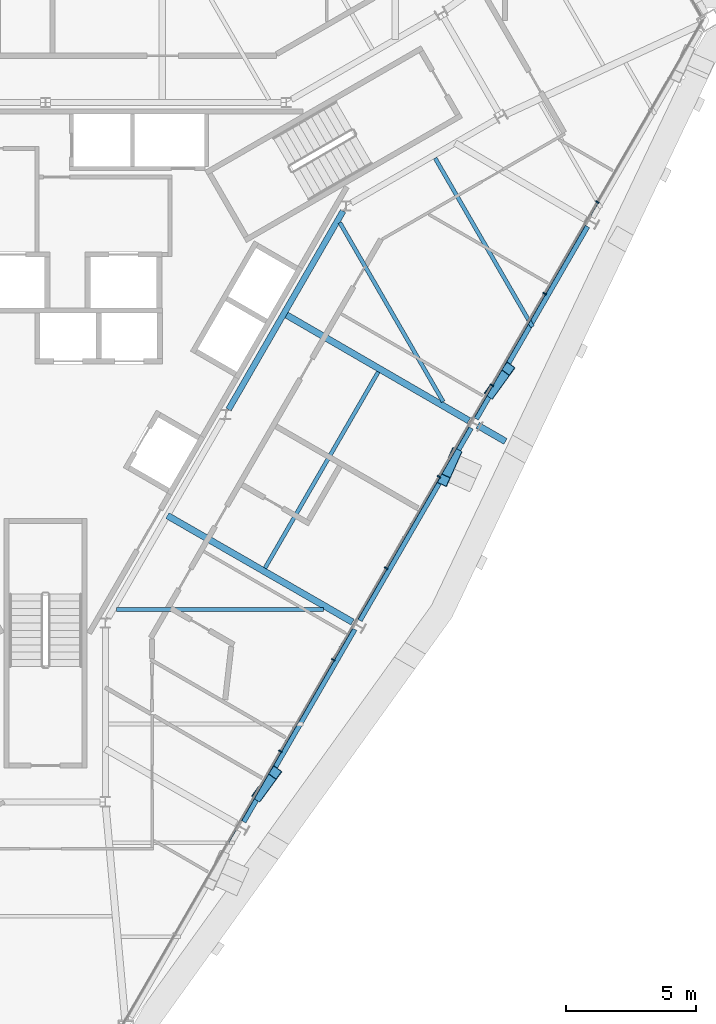
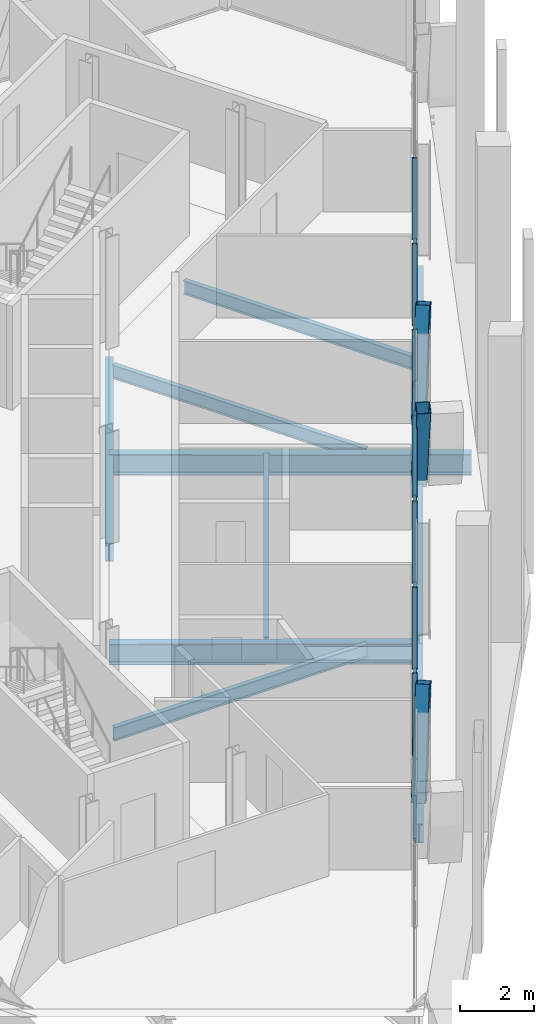
# One storey, part 6 of 16: 17 members, 11 beams, 1 element without a shape of its own.
"""IFC4 building model written with IfcOpenShell, lengths in metres."""

from ifc_helpers import new_model, si_unit, direction, frame, origin, origin_2d, place, context, subcontext, project, spatial, rectangle, hollow_rectangle, i_section, extrude, material, material_profile, profile_set, type_object, element, aggregate, save


model = new_model("IFC4")

# Units and contexts
model_context = context("Model", 3, precision=1e-05, world=origin(), true_north=direction((0.0, 1.0)))
body_context = subcontext(model_context, "Body", "Model", "MODEL_VIEW")
ifc_project = project(units=[si_unit("LENGTHUNIT", "METRE"), si_unit("AREAUNIT", "SQUARE_METRE"), si_unit("VOLUMEUNIT", "CUBIC_METRE"), si_unit("PLANEANGLEUNIT", "RADIAN"), si_unit("MASSUNIT", "GRAM", prefix="KILO")], contexts=[model_context])

# Site, building, storey
site_placement = place(None, origin())
site = spatial("IfcSite", under=ifc_project, at=site_placement, CompositionType="ELEMENT")
building_placement = place(site_placement, origin())
building = spatial("IfcBuilding", under=site, at=building_placement, Name="Verrane Prism Tower", CompositionType="ELEMENT")
storey_placement = place(building_placement, frame((0.0, 0.0, 236.0)))
storey = spatial("IfcBuildingStorey", under=building, at=storey_placement, Name="L59", CompositionType="ELEMENT", Elevation=236.0)

# Beam
ifc_material_1 = material(Name="Steel A992", Category="steel")
ifc_material_profile_1 = material_profile(ifc_material_1, i_section(OverallWidth=0.23046875, OverallDepth=0.6171875, WebThickness=0.01318359375, FlangeThickness=0.022216796875, FilletRadius=0.012939453125, at=origin_2d()), Name="W24x94")
ifc_profile_set_1 = profile_set([ifc_material_profile_1], Name="Steel A992")
beam_type_1 = type_object("IfcBeamType", Name="Core ring girder W24x94", PredefinedType="BEAM", material=ifc_profile_set_1)
beam_1_placement = place(storey_placement, frame((7.04150390625, -3.806884765625, -0.55859375), z_axis=(0.499967007444, 0.866044451208, 0.0), x_axis=(-0.866044451208, 0.499967007444, 0.0)))
element("IfcBeam", 1, at=beam_1_placement, inside=storey, type_object=beam_type_1, Name="Core ring girder L59", PredefinedType="BEAM", context=body_context, shape_type="SweptSolid", body=[
    extrude(i_section(OverallWidth=0.23046875, OverallDepth=0.6171875, WebThickness=0.01318359375, FlangeThickness=0.022216796875, FilletRadius=0.012939453125, at=origin_2d()), origin(), (0.0, 0.0, 1.0), 8.814453125),
])

# Members
ifc_material_2 = material(Name="Steel A500 Grade C", Category="steel")
ifc_material_profile_2 = material_profile(ifc_material_2, hollow_rectangle(XDim=0.406494140625, YDim=0.406494140625, WallThickness=0.01904296875, InnerFilletRadius=0.009521484375, OuterFilletRadius=0.028564453125, at=origin_2d()), Name="HSS16x16x3/4")
ifc_profile_set_2 = profile_set([ifc_material_profile_2], Name="Steel A500 Grade C")
member_type_1 = type_object("IfcMemberType", Name="Facade brace HSS16x16x3/4", PredefinedType="BRACE", material=ifc_profile_set_2)
member_1_placement = place(storey_placement, frame((8.18994140625, -18.6474609375, -0.216796875), z_axis=(0.188978192482, 0.259012989696, 0.947206162319), x_axis=(-0.807837409628, 0.589405394958, 0.0)))
element("IfcMember", 2, at=member_1_placement, inside=storey, type_object=member_type_1, Name="Facade brace SE1 L59", PredefinedType="BRACE", context=body_context, shape_type="SweptSolid", body=[
    extrude(hollow_rectangle(XDim=0.406494140625, YDim=0.406494140625, WallThickness=0.01904296875, InnerFilletRadius=0.009521484375, OuterFilletRadius=0.028564453125, at=origin_2d()), origin(), (0.0, 0.0, 1.0), 3.37451171875),
])
member_2_placement = place(storey_placement, frame((15.770263671875, -5.515625, -0.216796875), z_axis=(-0.132975288548, -0.298436396773, 0.945120780491), x_axis=(0.913428457808, -0.406999327354, 0.0)))
element("IfcMember", 3, at=member_2_placement, inside=storey, type_object=member_type_1, Name="Facade brace SE2 L59", PredefinedType="BRACE", context=body_context, shape_type="SweptSolid", body=[
    extrude(hollow_rectangle(XDim=0.406494140625, YDim=0.406494140625, WallThickness=0.01904296875, InnerFilletRadius=0.009521484375, OuterFilletRadius=0.028564453125, at=origin_2d()), origin(), (0.0, 0.0, 1.0), 3.3818359375),
])
member_3_placement = place(storey_placement, frame((17.13671875, -3.150634765625, -0.216796875), z_axis=(0.195259685921, 0.269661476978, 0.942950869817), x_axis=(-0.809959839754, 0.586485343369, 0.0)))
element("IfcMember", 4, at=member_3_placement, inside=storey, type_object=member_type_1, Name="Facade brace SE3 L59", PredefinedType="BRACE", context=body_context, shape_type="SweptSolid", body=[
    extrude(hollow_rectangle(XDim=0.406494140625, YDim=0.406494140625, WallThickness=0.01904296875, InnerFilletRadius=0.009521484375, OuterFilletRadius=0.028564453125, at=origin_2d()), origin(), (0.0, 0.0, 1.0), 3.3896484375),
])

# Beams
ifc_material_3 = material(Name="Steel A992", Category="steel")
ifc_material_profile_3 = material_profile(ifc_material_3, i_section(OverallWidth=0.15234375, OverallDepth=0.449462890625, WebThickness=0.007568359375, FlangeThickness=0.0107421875, FilletRadius=0.01025390625, at=origin_2d()), Name="W18x35")
ifc_profile_set_3 = profile_set([ifc_material_profile_3], Name="Steel A992")
beam_type_2 = type_object("IfcBeamType", Name="Floor beam W18x35", PredefinedType="BEAM", material=ifc_profile_set_3)
beam_2_placement = place(storey_placement, frame((2.733642578125, -11.5, -0.384765625), z_axis=(1.0, 0.0, 0.0), x_axis=(0.0, 1.0, 0.0)))
element("IfcBeam", 5, at=beam_2_placement, inside=storey, type_object=beam_type_2, Name="Floor beam L59", PredefinedType="BEAM", context=body_context, shape_type="SweptSolid", body=[
    extrude(i_section(OverallWidth=0.15234375, OverallDepth=0.449462890625, WebThickness=0.007568359375, FlangeThickness=0.0107421875, FilletRadius=0.01025390625, at=origin_2d()), origin(), (0.0, 0.0, 1.0), 7.95556640625),
])
beam_3_placement = place(storey_placement, frame((8.442626953125, -9.90966796875, -0.384765625), z_axis=(0.500012552615, 0.866018156408, 0.0), x_axis=(-0.866018156408, 0.500012552615, 0.0)))
element("IfcBeam", 6, at=beam_3_placement, inside=storey, type_object=beam_type_2, Name="Floor beam L59", PredefinedType="BEAM", context=body_context, shape_type="SweptSolid", body=[
    extrude(i_section(OverallWidth=0.15234375, OverallDepth=0.449462890625, WebThickness=0.007568359375, FlangeThickness=0.0107421875, FilletRadius=0.01025390625, at=origin_2d()), origin(), (0.0, 0.0, 1.0), 8.717529296875),
])
beam_4_placement = place(storey_placement, frame((18.731201171875, -0.622802734375, -0.384765625), z_axis=(-0.499985869662, 0.866033561785, 0.0), x_axis=(-0.866033561785, -0.499985869662, 0.0)))
element("IfcBeam", 7, at=beam_4_placement, inside=storey, type_object=beam_type_2, Name="Floor beam L59", PredefinedType="BEAM", context=body_context, shape_type="SweptSolid", body=[
    extrude(i_section(OverallWidth=0.15234375, OverallDepth=0.449462890625, WebThickness=0.007568359375, FlangeThickness=0.0107421875, FilletRadius=0.01025390625, at=origin_2d()), origin(), (0.0, 0.0, 1.0), 7.488037109375),
])
beam_5_placement = place(storey_placement, frame((15.298095703125, -3.505615234375, -0.384765625), z_axis=(-0.49999004381, 0.866031151917, 0.0), x_axis=(-0.866031151917, -0.49999004381, 0.0)))
element("IfcBeam", 8, at=beam_5_placement, inside=storey, type_object=beam_type_2, Name="Floor beam L59", PredefinedType="BEAM", context=body_context, shape_type="SweptSolid", body=[
    extrude(i_section(OverallWidth=0.15234375, OverallDepth=0.449462890625, WebThickness=0.007568359375, FlangeThickness=0.0107421875, FilletRadius=0.01025390625, at=origin_2d()), origin(), (0.0, 0.0, 1.0), 7.950439453125),
])

# Curtain wall, members
ifc_material_4 = material(Name="Aluminium framed insulated glazing", Category="aluminium")
curtain_wall_type = type_object("IfcCurtainWallType", Name="Curtain wall CW-C 4200 module", PredefinedType="NOTDEFINED", material=ifc_material_4)
curtain_wall_placement = place(storey_placement, origin())
curtain_wall = element("IfcCurtainWall", 9, at=curtain_wall_placement, inside=storey, type_object=curtain_wall_type, Name="Glazed curtain wall south-east face L59", PredefinedType="NOTDEFINED")
ifc_material_5 = material(Name="Aluminium alloy 6063-T6", Category="aluminium")
ifc_material_profile_4 = material_profile(ifc_material_5, rectangle(XDim=0.139892578125, YDim=0.050048828125, at=origin_2d()), Name="Mullion 50x140 aluminium")
ifc_profile_set_4 = profile_set([ifc_material_profile_4], Name="Aluminium alloy 6063-T6")
member_type_2 = type_object("IfcMemberType", Name="Mullion 50x140 aluminium", PredefinedType="MULLION", material=ifc_profile_set_4)
member_4_placement = place(storey_placement, frame((9.035888671875, -16.952880859375, 0.0), z_axis=(0.0, 0.0, 1.0), x_axis=(-0.866025759098, 0.499999384578, 0.0)))
member_4 = element("IfcMember", 10, at=member_4_placement, type_object=member_type_2, Name="CW59.6 mullion 4", PredefinedType="MULLION", context=body_context, shape_type="SweptSolid", body=[
    extrude(rectangle(XDim=0.139892578125, YDim=0.050048828125, at=origin_2d()), origin(), (0.0, 0.0, 1.0), 2.712890625),
])
member_5_placement = place(storey_placement, frame((11.068603515625, -13.43212890625, 0.0), z_axis=(0.0, 0.0, 1.0), x_axis=(-0.866025759098, 0.499999384578, 0.0)))
member_5 = element("IfcMember", 11, at=member_5_placement, type_object=member_type_2, Name="CW59.6 mullion 5", PredefinedType="MULLION", context=body_context, shape_type="SweptSolid", body=[
    extrude(rectangle(XDim=0.139892578125, YDim=0.050048828125, at=origin_2d()), origin(), (0.0, 0.0, 1.0), 2.712890625),
])
member_6_placement = place(storey_placement, frame((13.101318359375, -9.911376953125, 0.0), z_axis=(0.0, 0.0, 1.0), x_axis=(-0.866025759098, 0.499999384578, 0.0)))
member_6 = element("IfcMember", 12, at=member_6_placement, type_object=member_type_2, Name="CW59.6 mullion 6", PredefinedType="MULLION", context=body_context, shape_type="SweptSolid", body=[
    extrude(rectangle(XDim=0.139892578125, YDim=0.050048828125, at=origin_2d()), origin(), (0.0, 0.0, 1.0), 2.712890625),
])
member_7_placement = place(storey_placement, frame((15.134033203125, -6.390625, 0.0), z_axis=(0.0, 0.0, 1.0), x_axis=(-0.866025759098, 0.499999384578, 0.0)))
member_7 = element("IfcMember", 13, at=member_7_placement, type_object=member_type_2, Name="CW59.6 mullion 7", PredefinedType="MULLION", context=body_context, shape_type="SweptSolid", body=[
    extrude(rectangle(XDim=0.139892578125, YDim=0.050048828125, at=origin_2d()), origin(), (0.0, 0.0, 1.0), 2.712890625),
])
member_8_placement = place(storey_placement, frame((17.166748046875, -2.869873046875, 0.0), z_axis=(0.0, 0.0, 1.0), x_axis=(-0.866025759098, 0.499999384578, 0.0)))
member_8 = element("IfcMember", 14, at=member_8_placement, type_object=member_type_2, Name="CW59.6 mullion 8", PredefinedType="MULLION", context=body_context, shape_type="SweptSolid", body=[
    extrude(rectangle(XDim=0.139892578125, YDim=0.050048828125, at=origin_2d()), origin(), (0.0, 0.0, 1.0), 2.712890625),
])
member_9_placement = place(storey_placement, frame((19.199462890625, 0.65087890625, 0.0), z_axis=(0.0, 0.0, 1.0), x_axis=(-0.866025759098, 0.499999384578, 0.0)))
member_9 = element("IfcMember", 15, at=member_9_placement, type_object=member_type_2, Name="CW59.6 mullion 9", PredefinedType="MULLION", context=body_context, shape_type="SweptSolid", body=[
    extrude(rectangle(XDim=0.139892578125, YDim=0.050048828125, at=origin_2d()), origin(), (0.0, 0.0, 1.0), 2.712890625),
])
member_10_placement = place(storey_placement, frame((21.232177734375, 4.171630859375, 0.0), z_axis=(0.0, 0.0, 1.0), x_axis=(-0.866025759098, 0.499999384578, 0.0)))
member_10 = element("IfcMember", 16, at=member_10_placement, type_object=member_type_2, Name="CW59.6 mullion 10", PredefinedType="MULLION", context=body_context, shape_type="SweptSolid", body=[
    extrude(rectangle(XDim=0.139892578125, YDim=0.050048828125, at=origin_2d()), origin(), (0.0, 0.0, 1.0), 2.712890625),
])

# Beams
ifc_material_6 = material(Name="Steel A992", Category="steel")
ifc_material_profile_5 = material_profile(ifc_material_6, i_section(OverallWidth=0.25390625, OverallDepth=0.683349609375, WebThickness=0.012451171875, FlangeThickness=0.01904296875, FilletRadius=0.01513671875, at=origin_2d()), Name="W27x94")
ifc_profile_set_5 = profile_set([ifc_material_profile_5], Name="Steel A992")
beam_type_3 = type_object("IfcBeamType", Name="Radial girder W27x94", PredefinedType="BEAM", material=ifc_profile_set_5)
beam_6_placement = place(storey_placement, frame((11.810302734375, -11.984619140625, -0.5615234375), z_axis=(-0.86684307547, 0.498581069144, 0.0), x_axis=(-0.498581069144, -0.86684307547, 0.0)))
element("IfcBeam", 17, at=beam_6_placement, inside=storey, type_object=beam_type_3, Name="Radial girder L59", PredefinedType="BEAM", context=body_context, shape_type="SweptSolid", body=[
    extrude(i_section(OverallWidth=0.25390625, OverallDepth=0.683349609375, WebThickness=0.012451171875, FlangeThickness=0.01904296875, FilletRadius=0.01513671875, at=origin_2d()), origin(), (0.0, 0.0, 1.0), 8.21875),
])
beam_7_placement = place(storey_placement, frame((16.285888671875, -4.237060546875, -0.5615234375), z_axis=(-0.865215435762, 0.50140028891, 0.0), x_axis=(-0.50140028891, -0.865215435762, 0.0)))
element("IfcBeam", 18, at=beam_7_placement, inside=storey, type_object=beam_type_3, Name="Radial girder L59", PredefinedType="BEAM", context=body_context, shape_type="SweptSolid", body=[
    extrude(i_section(OverallWidth=0.25390625, OverallDepth=0.683349609375, WebThickness=0.012451171875, FlangeThickness=0.01904296875, FilletRadius=0.01513671875, at=origin_2d()), origin(), (0.0, 0.0, 1.0), 8.22119140625),
])
beam_8_placement = place(storey_placement, frame((16.623291015625, -4.41650390625, -0.5615234375), z_axis=(0.865998116901, -0.500047259291, 0.0), x_axis=(0.500047259291, 0.865998116901, 0.0)))
element("IfcBeam", 19, at=beam_8_placement, inside=storey, type_object=beam_type_3, Name="Cantilever girder L59", PredefinedType="BEAM", context=body_context, shape_type="SweptSolid", body=[
    extrude(i_section(OverallWidth=0.25390625, OverallDepth=0.683349609375, WebThickness=0.012451171875, FlangeThickness=0.01904296875, FilletRadius=0.01513671875, at=origin_2d()), origin(), (0.0, 0.0, 1.0), 1.236328125),
])
ifc_material_7 = material(Name="Steel A992", Category="steel")
ifc_material_profile_6 = material_profile(ifc_material_7, i_section(OverallWidth=0.23046875, OverallDepth=0.6171875, WebThickness=0.01318359375, FlangeThickness=0.022216796875, FilletRadius=0.012939453125, at=origin_2d()), Name="W24x94")
ifc_profile_set_6 = profile_set([ifc_material_profile_6], Name="Steel A992")
beam_type_4 = type_object("IfcBeamType", Name="Spandrel beam W24x94", PredefinedType="SPANDREL", material=ifc_profile_set_6)
beam_9_placement = place(storey_placement, frame((7.60888671875, -19.655029296875, -0.468505859375), z_axis=(0.499645772183, 0.86622982074, 0.0), x_axis=(-0.86622982074, 0.499645772183, 0.0)))
element("IfcBeam", 20, at=beam_9_placement, inside=storey, type_object=beam_type_4, Name="Spandrel beam L59", PredefinedType="SPANDREL", context=body_context, shape_type="SweptSolid", body=[
    extrude(i_section(OverallWidth=0.23046875, OverallDepth=0.6171875, WebThickness=0.01318359375, FlangeThickness=0.022216796875, FilletRadius=0.012939453125, at=origin_2d()), origin(), (0.0, 0.0, 1.0), 8.544677734375),
])
beam_10_placement = place(storey_placement, frame((12.077392578125, -11.908203125, -0.468505859375), z_axis=(0.50020288696, 0.865908235252, 0.0), x_axis=(-0.865908235252, 0.50020288696, 0.0)))
element("IfcBeam", 21, at=beam_10_placement, inside=storey, type_object=beam_type_4, Name="Spandrel beam L59", PredefinedType="SPANDREL", context=body_context, shape_type="SweptSolid", body=[
    extrude(i_section(OverallWidth=0.23046875, OverallDepth=0.6171875, WebThickness=0.01318359375, FlangeThickness=0.022216796875, FilletRadius=0.012939453125, at=origin_2d()), origin(), (0.0, 0.0, 1.0), 8.5478515625),
])
beam_11_placement = place(storey_placement, frame((16.552490234375, -4.1611328125, -0.468505859375), z_axis=(0.500352773376, 0.865821634157, 0.0), x_axis=(-0.865821634157, 0.500352773376, 0.0)))
element("IfcBeam", 22, at=beam_11_placement, inside=storey, type_object=beam_type_4, Name="Spandrel beam L59", PredefinedType="SPANDREL", context=body_context, shape_type="SweptSolid", body=[
    extrude(i_section(OverallWidth=0.23046875, OverallDepth=0.6171875, WebThickness=0.01318359375, FlangeThickness=0.022216796875, FilletRadius=0.012939453125, at=origin_2d()), origin(), (0.0, 0.0, 1.0), 8.548583984375),
])

# Member
ifc_material_8 = material(Name="Aluminium alloy 6063-T6", Category="aluminium")
ifc_material_profile_7 = material_profile(ifc_material_8, rectangle(XDim=0.10009765625, YDim=0.050048828125, at=origin_2d()), Name="Transom 50x100 aluminium")
ifc_profile_set_7 = profile_set([ifc_material_profile_7], Name="Aluminium alloy 6063-T6")
member_type_3 = type_object("IfcMemberType", Name="Transom 50x100 aluminium", PredefinedType="USERDEFINED", material=ifc_profile_set_7)
member_11_placement = place(storey_placement, frame((7.015869140625, -20.451904296875, 0.02490234375), z_axis=(0.499964557259, 0.866045865693, 0.0), x_axis=(-0.866045865693, 0.499964557259, 0.0)))
member_11 = element("IfcMember", 23, at=member_11_placement, type_object=member_type_3, Name="CW59.6 transom 3", ObjectType="TRANSOM", PredefinedType="USERDEFINED", context=body_context, shape_type="SweptSolid", body=[
    extrude(rectangle(XDim=0.10009765625, YDim=0.050048828125, at=origin_2d()), origin(), (0.0, 0.0, 1.0), 4.015380859375),
])

member_12_placement = place(storey_placement, frame((9.048583984375, -16.93115234375, 0.02490234375), z_axis=(0.499964557259, 0.866045865693, 0.0), x_axis=(-0.866045865693, 0.499964557259, 0.0)))
member_12 = element("IfcMember", 24, at=member_12_placement, type_object=member_type_3, Name="CW59.6 transom 4", ObjectType="TRANSOM", PredefinedType="USERDEFINED", context=body_context, shape_type="SweptSolid", body=[
    extrude(rectangle(XDim=0.10009765625, YDim=0.050048828125, at=origin_2d()), origin(), (0.0, 0.0, 1.0), 4.015380859375),
])

member_13_placement = place(storey_placement, frame((11.081298828125, -13.410400390625, 0.02490234375), z_axis=(0.499964557259, 0.866045865693, 0.0), x_axis=(-0.866045865693, 0.499964557259, 0.0)))
member_13 = element("IfcMember", 25, at=member_13_placement, type_object=member_type_3, Name="CW59.6 transom 5", ObjectType="TRANSOM", PredefinedType="USERDEFINED", context=body_context, shape_type="SweptSolid", body=[
    extrude(rectangle(XDim=0.10009765625, YDim=0.050048828125, at=origin_2d()), origin(), (0.0, 0.0, 1.0), 4.015380859375),
])

member_14_placement = place(storey_placement, frame((13.114013671875, -9.8896484375, 0.02490234375), z_axis=(0.499964557259, 0.866045865693, 0.0), x_axis=(-0.866045865693, 0.499964557259, 0.0)))
member_14 = element("IfcMember", 26, at=member_14_placement, type_object=member_type_3, Name="CW59.6 transom 6", ObjectType="TRANSOM", PredefinedType="USERDEFINED", context=body_context, shape_type="SweptSolid", body=[
    extrude(rectangle(XDim=0.10009765625, YDim=0.050048828125, at=origin_2d()), origin(), (0.0, 0.0, 1.0), 4.015380859375),
])

member_15_placement = place(storey_placement, frame((15.146484375, -6.368896484375, 0.02490234375), z_axis=(0.500010157896, 0.866019539041, 0.0), x_axis=(-0.866019539041, 0.500010157896, 0.0)))
member_15 = element("IfcMember", 27, at=member_15_placement, type_object=member_type_3, Name="CW59.6 transom 7", ObjectType="TRANSOM", PredefinedType="USERDEFINED", context=body_context, shape_type="SweptSolid", body=[
    extrude(rectangle(XDim=0.10009765625, YDim=0.050048828125, at=origin_2d()), origin(), (0.0, 0.0, 1.0), 4.015625),
])

member_16_placement = place(storey_placement, frame((17.17919921875, -2.84814453125, 0.02490234375), z_axis=(0.500010157896, 0.866019539041, 0.0), x_axis=(-0.866019539041, 0.500010157896, 0.0)))
member_16 = element("IfcMember", 28, at=member_16_placement, type_object=member_type_3, Name="CW59.6 transom 8", ObjectType="TRANSOM", PredefinedType="USERDEFINED", context=body_context, shape_type="SweptSolid", body=[
    extrude(rectangle(XDim=0.10009765625, YDim=0.050048828125, at=origin_2d()), origin(), (0.0, 0.0, 1.0), 4.015625),
])

member_17_placement = place(storey_placement, frame((19.2119140625, 0.672607421875, 0.02490234375), z_axis=(0.500010157896, 0.866019539041, 0.0), x_axis=(-0.866019539041, 0.500010157896, 0.0)))
member_17 = element("IfcMember", 29, at=member_17_placement, type_object=member_type_3, Name="CW59.6 transom 9", ObjectType="TRANSOM", PredefinedType="USERDEFINED", context=body_context, shape_type="SweptSolid", body=[
    extrude(rectangle(XDim=0.10009765625, YDim=0.050048828125, at=origin_2d()), origin(), (0.0, 0.0, 1.0), 4.015625),
])

aggregate(curtain_wall, [member_4, member_5, member_6, member_7, member_8, member_9, member_10, member_11, member_12, member_13, member_14, member_15, member_16, member_17])

save(model, "model.ifc")
